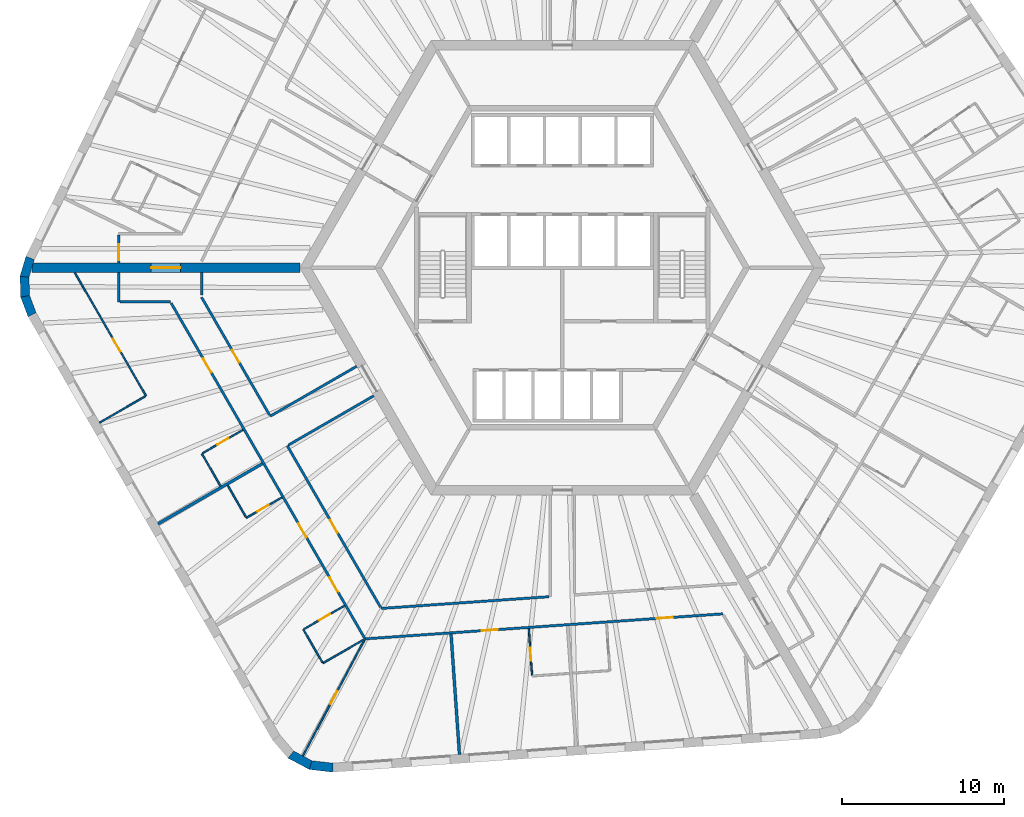
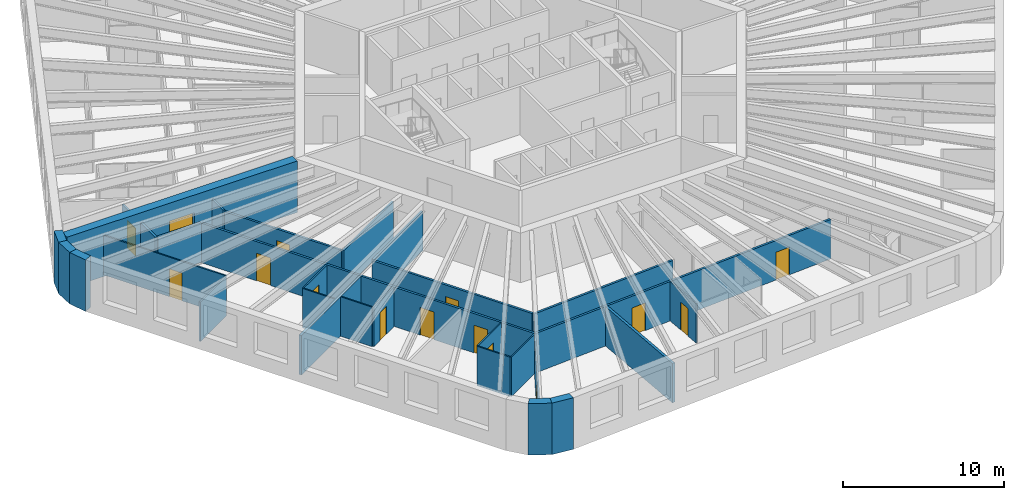
# One storey, part 3 of 12: 30 walls, 15 doors, 15 openings.
"""IFC4 building model written with IfcOpenShell, lengths in metres."""

from ifc_helpers import new_model, si_unit, direction, frame, frame_2d, origin, place, context, subcontext, project, spatial, polyline, rectangle, outline, extrude, material, layer, layer_set, type_object, element, fill, save


model = new_model("IFC4")

# Units and contexts
model_context = context("Model", 3, precision=1e-05, world=origin(), true_north=direction((0.0, 1.0)))
body_context = subcontext(model_context, "Body", "Model", "MODEL_VIEW")
ifc_project = project(units=[si_unit("LENGTHUNIT", "METRE"), si_unit("AREAUNIT", "SQUARE_METRE"), si_unit("VOLUMEUNIT", "CUBIC_METRE"), si_unit("PLANEANGLEUNIT", "RADIAN"), si_unit("MASSUNIT", "GRAM", prefix="KILO")], contexts=[model_context])

# Site, building, storey
site_placement = place(None, origin())
site = spatial("IfcSite", under=ifc_project, at=site_placement, CompositionType="ELEMENT")
building_placement = place(site_placement, origin())
building = spatial("IfcBuilding", under=site, at=building_placement, Name="Tarnside Tower", CompositionType="ELEMENT")
storey_placement = place(building_placement, frame((0.0, 0.0, 72.60009765625)))
storey = spatial("IfcBuildingStorey", under=building, at=storey_placement, Name="L15", CompositionType="ELEMENT", Elevation=72.60009765625)

# Wall
ifc_material_1 = material(Name="Gypsum board partition on steel studs", Category="steel")
ifc_layer_1 = layer(ifc_material_1, 0.10009765625)
ifc_layer_set_1 = layer_set([ifc_layer_1], Name="Bathroom wall 100")
wall_type_1 = type_object("IfcWallType", Name="Bathroom wall 100", PredefinedType="PARTITIONING", material=ifc_layer_set_1)
wall_1_placement = place(storey_placement, frame((-21.046875, -13.44580078125, 0.0), z_axis=(0.0, 0.0, 1.0), x_axis=(-0.500015210774, 0.866016621662, 0.0)))
element("IfcWall", 1, at=wall_1_placement, inside=storey, type_object=wall_type_1, Name="Bathroom wall 04105", PredefinedType="PARTITIONING", context=body_context, shape_type="SweptSolid", body=[
    extrude(rectangle(XDim=2.31005859375, YDim=0.10009765625, at=frame_2d((1.155029296875, 0.0))), origin(), (0.0, 0.0, 1.0), 2.98779296875),
])

# Wall, opening, door
wall_2_placement = place(storey_placement, frame((-22.158447265625, -11.42041015625, 0.0), z_axis=(0.0, 0.0, 1.0), x_axis=(0.866018712932, 0.500011588718, 0.0)))
wall_2 = element("IfcWall", 2, at=wall_2_placement, inside=storey, type_object=wall_type_1, Name="Bathroom wall 04106", PredefinedType="PARTITIONING", context=body_context, shape_type="SweptSolid", body=[
    extrude(rectangle(XDim=2.875, YDim=0.10009765625, at=frame_2d((1.4375, 0.0))), origin(), (0.0, 0.0, 1.0), 2.98779296875),
])
opening_1_placement = place(wall_2_placement, frame((1.050048828125, 0.0, 0.0)))
opening_1 = element("IfcOpeningElement", 3, at=opening_1_placement, cuts=wall_2, Name="Opening D-B1", PredefinedType="OPENING", context=body_context, shape_type="SweptSolid", body=[
    extrude(rectangle(XDim=0.800048828125, YDim=2.10009765625, at=frame_2d((0.39990234375, 1.050048828125))), frame((0.0, 0.06005859375, 0.0), z_axis=(0.0, -1.0, 0.0), x_axis=(1.0, 0.0, 0.0)), (0.0, 0.0, 1.0), 0.1201171875),
])
ifc_material_2 = material(Name="Timber door leaf", Category="wood")
door_type_1 = type_object("IfcDoorType", Name="Bathroom door 800", OperationType="NOTDEFINED", PredefinedType="DOOR", material=ifc_material_2)
door_1_placement = place(opening_1_placement, origin())
door_1 = element("IfcDoor", 4, at=door_1_placement, inside=storey, type_object=door_type_1, Name="Bathroom door 04016", OperationType="SINGLE_SWING_LEFT", OverallHeight=2.10009765625, OverallWidth=0.800048828125, PredefinedType="DOOR", context=body_context, shape_type="SweptSolid", body=[
    extrude(rectangle(XDim=0.800048828125, YDim=2.10009765625, at=frame_2d((0.39990234375, 1.050048828125))), frame((0.0, 0.02490234375, 0.0), z_axis=(0.0, -1.0, 0.0), x_axis=(1.0, 0.0, 0.0)), (0.0, 0.0, 1.0), 0.050048828125),
])
fill(opening_1, door_1)

wall_3_placement = place(storey_placement, frame((-17.268798828125, -14.1396484375, 0.0), z_axis=(0.0, 0.0, 1.0), x_axis=(-0.865973021571, -0.500090717682, 0.0)))
wall_3 = element("IfcWall", 5, at=wall_3_placement, inside=storey, type_object=wall_type_1, Name="Bathroom wall 04112", PredefinedType="PARTITIONING", context=body_context, shape_type="SweptSolid", body=[
    extrude(rectangle(XDim=2.52490234375, YDim=0.10009765625, at=frame_2d((1.262451171875, 0.0))), origin(), (0.0, 0.0, 1.0), 2.98779296875),
])
opening_2_placement = place(wall_3_placement, frame((0.955078125, 0.0, 0.0)))
opening_2 = element("IfcOpeningElement", 6, at=opening_2_placement, cuts=wall_3, Name="Opening D-B1", PredefinedType="OPENING", context=body_context, shape_type="SweptSolid", body=[
    extrude(rectangle(XDim=0.800048828125, YDim=2.10009765625, at=frame_2d((0.39990234375, 1.050048828125))), frame((0.0, 0.06005859375, 0.0), z_axis=(0.0, -1.0, 0.0), x_axis=(1.0, 0.0, 0.0)), (0.0, 0.0, 1.0), 0.1201171875),
])
door_2_placement = place(opening_2_placement, origin())
door_2 = element("IfcDoor", 7, at=door_2_placement, inside=storey, type_object=door_type_1, Name="Bathroom door 04019", OperationType="SINGLE_SWING_LEFT", OverallHeight=2.10009765625, OverallWidth=0.800048828125, PredefinedType="DOOR", context=body_context, shape_type="SweptSolid", body=[
    extrude(rectangle(XDim=0.800048828125, YDim=2.10009765625, at=frame_2d((0.39990234375, 1.050048828125))), frame((0.0, 0.02490234375, 0.0), z_axis=(0.0, -1.0, 0.0), x_axis=(1.0, 0.0, 0.0)), (0.0, 0.0, 1.0), 0.050048828125),
])
fill(opening_2, door_2)

# Walls
wall_4_placement = place(storey_placement, frame((-19.48046875, -15.35888671875, 0.0), z_axis=(0.0, 0.0, 1.0), x_axis=(-0.4999967785, 0.866027263711, 0.0)))
element("IfcWall", 8, at=wall_4_placement, inside=storey, type_object=wall_type_1, Name="Bathroom wall 04113", PredefinedType="PARTITIONING", context=body_context, shape_type="SweptSolid", body=[
    extrude(rectangle(XDim=2.259765625, YDim=0.10009765625, at=frame_2d((1.1298828125, 0.0))), origin(), (0.0, 0.0, 1.0), 2.98779296875),
])
wall_5_placement = place(storey_placement, frame((-12.21630859375, -22.890869140625, 0.0), z_axis=(0.0, 0.0, 1.0), x_axis=(-0.866046596414, -0.499963291492, 0.0)))
element("IfcWall", 9, at=wall_5_placement, inside=storey, type_object=wall_type_1, Name="Bathroom wall 04115", PredefinedType="PARTITIONING", context=body_context, shape_type="SweptSolid", body=[
    extrude(rectangle(XDim=2.925048828125, YDim=0.10009765625, at=frame_2d((1.46240234375, 0.0))), origin(), (0.0, 0.0, 1.0), 2.98779296875),
])
wall_6_placement = place(storey_placement, frame((-14.7744140625, -24.31005859375, 0.0), z_axis=(0.0, 0.0, 1.0), x_axis=(-0.500016218704, 0.866016039709, 0.0)))
element("IfcWall", 10, at=wall_6_placement, inside=storey, type_object=wall_type_1, Name="Bathroom wall 04116", PredefinedType="PARTITIONING", context=body_context, shape_type="SweptSolid", body=[
    extrude(rectangle(XDim=2.35009765625, YDim=0.10009765625, at=frame_2d((1.175048828125, 0.0))), origin(), (0.0, 0.0, 1.0), 2.98779296875),
])

# Wall, opening, door
wall_7_placement = place(storey_placement, frame((-15.906005859375, -22.249755859375, 0.0), z_axis=(0.0, 0.0, 1.0), x_axis=(0.866018712932, 0.500011588718, 0.0)))
wall_7 = element("IfcWall", 11, at=wall_7_placement, inside=storey, type_object=wall_type_1, Name="Bathroom wall 04117", PredefinedType="PARTITIONING", context=body_context, shape_type="SweptSolid", body=[
    extrude(rectangle(XDim=2.875, YDim=0.10009765625, at=frame_2d((1.4375, 0.0))), origin(), (0.0, 0.0, 1.0), 2.98779296875),
])
opening_3_placement = place(wall_7_placement, frame((1.050048828125, 0.0, 0.0)))
opening_3 = element("IfcOpeningElement", 12, at=opening_3_placement, cuts=wall_7, Name="Opening D-B1", PredefinedType="OPENING", context=body_context, shape_type="SweptSolid", body=[
    extrude(rectangle(XDim=0.800048828125, YDim=2.10009765625, at=frame_2d((0.39990234375, 1.050048828125))), frame((0.0, 0.06005859375, 0.0), z_axis=(0.0, -1.0, 0.0), x_axis=(1.0, 0.0, 0.0)), (0.0, 0.0, 1.0), 0.1201171875),
])
door_3_placement = place(opening_3_placement, origin())
door_3 = element("IfcDoor", 13, at=door_3_placement, inside=storey, type_object=door_type_1, Name="Bathroom door 04021", OperationType="SINGLE_SWING_LEFT", OverallHeight=2.10009765625, OverallWidth=0.800048828125, PredefinedType="DOOR", context=body_context, shape_type="SweptSolid", body=[
    extrude(rectangle(XDim=0.800048828125, YDim=2.10009765625, at=frame_2d((0.39990234375, 1.050048828125))), frame((0.0, 0.02490234375, 0.0), z_axis=(0.0, -1.0, 0.0), x_axis=(1.0, 0.0, 0.0)), (0.0, 0.0, 1.0), 0.050048828125),
])
fill(opening_3, door_3)

wall_8_placement = place(storey_placement, frame((-1.865478515625, -25.09130859375, 0.0), z_axis=(0.0, 0.0, 1.0), x_axis=(-0.069714207611, 0.997567004896, 0.0)))
wall_8 = element("IfcWall", 14, at=wall_8_placement, inside=storey, type_object=wall_type_1, Name="Bathroom wall 04121", PredefinedType="PARTITIONING", context=body_context, shape_type="SweptSolid", body=[
    extrude(rectangle(XDim=2.875244140625, YDim=0.10009765625, at=frame_2d((1.4375, 0.0))), origin(), (0.0, 0.0, 1.0), 2.98779296875),
])
opening_4_placement = place(wall_8_placement, frame((0.89990234375, 0.0, 0.0)))
opening_4 = element("IfcOpeningElement", 15, at=opening_4_placement, cuts=wall_8, Name="Opening D-B1", PredefinedType="OPENING", context=body_context, shape_type="SweptSolid", body=[
    extrude(rectangle(XDim=0.800048828125, YDim=2.10009765625, at=frame_2d((0.39990234375, 1.050048828125))), frame((0.0, 0.06005859375, 0.0), z_axis=(0.0, -1.0, 0.0), x_axis=(1.0, 0.0, 0.0)), (0.0, 0.0, 1.0), 0.1201171875),
])
door_4_placement = place(opening_4_placement, origin())
door_4 = element("IfcDoor", 16, at=door_4_placement, inside=storey, type_object=door_type_1, Name="Bathroom door 04024", OperationType="SINGLE_SWING_RIGHT", OverallHeight=2.10009765625, OverallWidth=0.800048828125, PredefinedType="DOOR", context=body_context, shape_type="SweptSolid", body=[
    extrude(rectangle(XDim=0.800048828125, YDim=2.10009765625, at=frame_2d((0.39990234375, 1.050048828125))), frame((0.0, 0.02490234375, 0.0), z_axis=(0.0, -1.0, 0.0), x_axis=(1.0, 0.0, 0.0)), (0.0, 0.0, 1.0), 0.050048828125),
])
fill(opening_4, door_4)

ifc_material_3 = material(Name="Concrete C80/95", Category="concrete")
ifc_layer_2 = layer(ifc_material_3, 0.60009765625)
ifc_layer_set_2 = layer_set([ifc_layer_2], Name="Core wall Z1 600 C80/95")
wall_type_2 = type_object("IfcWallType", Name="Core wall Z1 600 C80/95", PredefinedType="SHEAR", material=ifc_layer_set_2)
wall_9_placement = place(storey_placement, frame((-16.165771484375, 0.0, -0.150146484375), z_axis=(0.0, 0.0, 1.0), x_axis=(-1.0, 0.0, 0.0)))
wall_9 = element("IfcWall", 17, at=wall_9_placement, inside=storey, type_object=wall_type_2, Name="L15 spine wall 2", PredefinedType="SHEAR", context=body_context, shape_type="SweptSolid", body=[
    extrude(rectangle(XDim=16.509033203125, YDim=0.60009765625, at=frame_2d((8.25439453125, 0.0))), origin(), (0.0, 0.0, 1.0), 3.900146484375),
])
opening_5_placement = place(wall_9_placement, frame((7.3544921875, 0.0, 0.14990234375)))
opening_5 = element("IfcOpeningElement", 18, at=opening_5_placement, cuts=wall_9, Name="Opening CD-SPN", PredefinedType="OPENING", context=body_context, shape_type="SweptSolid", body=[
    extrude(rectangle(XDim=1.800048828125, YDim=2.39990234375, at=frame_2d((0.89990234375, 1.199951171875))), frame((0.0, 0.31005859375, 0.0), z_axis=(0.0, -1.0, 0.0), x_axis=(1.0, 0.0, 0.0)), (0.0, 0.0, 1.0), 0.6201171875),
])
ifc_material_4 = material(Name="Steel fire door", Category="steel")
door_type_2 = type_object("IfcDoorType", Name="Spine passage double door FD60 1800x2400", OperationType="NOTDEFINED", PredefinedType="DOOR", material=ifc_material_4)
door_5_placement = place(opening_5_placement, origin())
door_5 = element("IfcDoor", 19, at=door_5_placement, inside=storey, type_object=door_type_2, Name="L15 spine passage door 2", OperationType="DOUBLE_DOOR_SINGLE_SWING", OverallHeight=2.39990234375, OverallWidth=1.800048828125, PredefinedType="DOOR", context=body_context, shape_type="SweptSolid", body=[
    extrude(rectangle(XDim=1.800048828125, YDim=2.39990234375, at=frame_2d((0.89990234375, 1.199951171875))), frame((0.0, 0.02490234375, 0.0), z_axis=(0.0, -1.0, 0.0), x_axis=(1.0, 0.0, 0.0)), (0.0, 0.0, 1.0), 0.050048828125),
])
fill(opening_5, door_5)

ifc_layer_3 = layer(ifc_material_1, 0.14990234375)
ifc_layer_set_3 = layer_set([ifc_layer_3], Name="Corridor wall 150 EI 60")
wall_type_3 = type_object("IfcWallType", Name="Corridor wall 150 EI 60", PredefinedType="PARTITIONING", material=ifc_layer_set_3)
wall_10_placement = place(storey_placement, frame((-27.3203125, 2.02490234375, 0.0), z_axis=(0.0, 0.0, 1.0), x_axis=(0.0, -1.0, 0.0)))
wall_10 = element("IfcWall", 20, at=wall_10_placement, inside=storey, type_object=wall_type_3, Name="Corridor wall 04015", PredefinedType="PARTITIONING", context=body_context, shape_type="SweptSolid", body=[
    extrude(rectangle(XDim=1.724853515625, YDim=0.14990234375, at=frame_2d((0.8623046875, 0.0))), origin(), (0.0, 0.0, 1.0), 2.98779296875),
])
opening_6_placement = place(wall_10_placement, frame((0.574951171875, 0.0, 0.0)))
opening_6 = element("IfcOpeningElement", 21, at=opening_6_placement, cuts=wall_10, Name="Opening D-E1", PredefinedType="OPENING", context=body_context, shape_type="SweptSolid", body=[
    extrude(rectangle(XDim=1.0, YDim=2.10009765625, at=frame_2d((0.5, 1.050048828125))), frame((0.0, 0.0849609375, 0.0), z_axis=(0.0, -1.0, 0.0), x_axis=(1.0, 0.0, 0.0)), (0.0, 0.0, 1.0), 0.169921875),
])
door_type_3 = type_object("IfcDoorType", Name="Unit entrance door 1000 FD30S", OperationType="NOTDEFINED", PredefinedType="DOOR", material=ifc_material_2)
door_6_placement = place(opening_6_placement, origin())
door_6 = element("IfcDoor", 22, at=door_6_placement, inside=storey, type_object=door_type_3, Name="Unit door 04014", OperationType="SINGLE_SWING_LEFT", OverallHeight=2.10009765625, OverallWidth=1.0, PredefinedType="DOOR", context=body_context, shape_type="SweptSolid", body=[
    extrude(rectangle(XDim=1.0, YDim=2.10009765625, at=frame_2d((0.5, 1.050048828125))), frame((0.0, 0.02490234375, 0.0), z_axis=(0.0, -1.0, 0.0), x_axis=(1.0, 0.0, 0.0)), (0.0, 0.0, 1.0), 0.050048828125),
])
fill(opening_6, door_6)

# Walls
wall_11_placement = place(storey_placement, frame((-27.3203125, -0.300048828125, 0.0), z_axis=(0.0, 0.0, 1.0), x_axis=(0.0, -1.0, 0.0)))
element("IfcWall", 23, at=wall_11_placement, inside=storey, type_object=wall_type_3, Name="Corridor wall 04025", PredefinedType="PARTITIONING", context=body_context, shape_type="SweptSolid", body=[
    extrude(rectangle(XDim=1.800048828125, YDim=0.14990234375, at=frame_2d((0.89990234375, 0.0))), origin(), (0.0, 0.0, 1.0), 2.98779296875),
])
wall_12_placement = place(storey_placement, frame((-27.245361328125, -2.10009765625, 0.0), z_axis=(0.0, 0.0, 1.0), x_axis=(1.0, 0.0, 0.0)))
element("IfcWall", 24, at=wall_12_placement, inside=storey, type_object=wall_type_3, Name="Corridor wall 04026", PredefinedType="PARTITIONING", context=body_context, shape_type="SweptSolid", body=[
    extrude(rectangle(XDim=3.112060546875, YDim=0.14990234375, at=frame_2d((1.55615234375, 0.0))), origin(), (0.0, 0.0, 1.0), 2.98779296875),
])

# Wall, openings, doors
wall_13_placement = place(storey_placement, frame((-24.08984375, -2.175048828125, 0.0), z_axis=(0.0, 0.0, 1.0), x_axis=(0.499996832073, -0.86602723278, 0.0)))
wall_13 = element("IfcWall", 25, at=wall_13_placement, inside=storey, type_object=wall_type_3, Name="Corridor wall 04027", PredefinedType="PARTITIONING", context=body_context, shape_type="SweptSolid", body=[
    extrude(rectangle(XDim=23.877197265625, YDim=0.14990234375, at=frame_2d((11.9384765625, 0.0))), origin(), (0.0, 0.0, 1.0), 2.98779296875),
])
opening_7_placement = place(wall_13_placement, frame((3.94287109375, 0.0, 0.0)))
opening_7 = element("IfcOpeningElement", 26, at=opening_7_placement, cuts=wall_13, Name="Opening D-E1", PredefinedType="OPENING", context=body_context, shape_type="SweptSolid", body=[
    extrude(rectangle(XDim=1.0, YDim=2.10009765625, at=frame_2d((0.5, 1.050048828125))), frame((0.0, 0.0849609375, 0.0), z_axis=(0.0, -1.0, 0.0), x_axis=(1.0, 0.0, 0.0)), (0.0, 0.0, 1.0), 0.169921875),
])
opening_8_placement = place(wall_13_placement, frame((15.67236328125, 0.0, 0.0)))
opening_8 = element("IfcOpeningElement", 27, at=opening_8_placement, cuts=wall_13, Name="Opening D-E1", PredefinedType="OPENING", context=body_context, shape_type="SweptSolid", body=[
    extrude(rectangle(XDim=1.0, YDim=2.10009765625, at=frame_2d((0.5, 1.050048828125))), frame((0.0, 0.0849609375, 0.0), z_axis=(0.0, -1.0, 0.0), x_axis=(1.0, 0.0, 0.0)), (0.0, 0.0, 1.0), 0.169921875),
])
opening_9_placement = place(wall_13_placement, frame((19.52490234375, 0.0, 0.0)))
opening_9 = element("IfcOpeningElement", 28, at=opening_9_placement, cuts=wall_13, Name="Opening D-E1", PredefinedType="OPENING", context=body_context, shape_type="SweptSolid", body=[
    extrude(rectangle(XDim=1.0, YDim=2.10009765625, at=frame_2d((0.5, 1.050048828125))), frame((0.0, 0.0849609375, 0.0), z_axis=(0.0, -1.0, 0.0), x_axis=(1.0, 0.0, 0.0)), (0.0, 0.0, 1.0), 0.169921875),
])
door_7_placement = place(opening_7_placement, origin())
door_7 = element("IfcDoor", 29, at=door_7_placement, inside=storey, type_object=door_type_3, Name="Unit door 04015", OperationType="SINGLE_SWING_RIGHT", OverallHeight=2.10009765625, OverallWidth=1.0, PredefinedType="DOOR", context=body_context, shape_type="SweptSolid", body=[
    extrude(rectangle(XDim=1.0, YDim=2.10009765625, at=frame_2d((0.5, 1.050048828125))), frame((0.0, 0.02490234375, 0.0), z_axis=(0.0, -1.0, 0.0), x_axis=(1.0, 0.0, 0.0)), (0.0, 0.0, 1.0), 0.050048828125),
])
fill(opening_7, door_7)
door_8_placement = place(opening_8_placement, origin())
door_8 = element("IfcDoor", 30, at=door_8_placement, inside=storey, type_object=door_type_3, Name="Unit door 04018", OperationType="SINGLE_SWING_RIGHT", OverallHeight=2.10009765625, OverallWidth=1.0, PredefinedType="DOOR", context=body_context, shape_type="SweptSolid", body=[
    extrude(rectangle(XDim=1.0, YDim=2.10009765625, at=frame_2d((0.5, 1.050048828125))), frame((0.0, 0.02490234375, 0.0), z_axis=(0.0, -1.0, 0.0), x_axis=(1.0, 0.0, 0.0)), (0.0, 0.0, 1.0), 0.050048828125),
])
fill(opening_8, door_8)
door_9_placement = place(opening_9_placement, origin())
door_9 = element("IfcDoor", 31, at=door_9_placement, inside=storey, type_object=door_type_3, Name="Unit door 04020", OperationType="SINGLE_SWING_RIGHT", OverallHeight=2.10009765625, OverallWidth=1.0, PredefinedType="DOOR", context=body_context, shape_type="SweptSolid", body=[
    extrude(rectangle(XDim=1.0, YDim=2.10009765625, at=frame_2d((0.5, 1.050048828125))), frame((0.0, 0.02490234375, 0.0), z_axis=(0.0, -1.0, 0.0), x_axis=(1.0, 0.0, 0.0)), (0.0, 0.0, 1.0), 0.050048828125),
])
fill(opening_9, door_9)

wall_14_placement = place(storey_placement, frame((-12.1513671875, -22.853271484375, 0.0), z_axis=(0.0, 0.0, 1.0), x_axis=(0.99756425444, 0.069753553767, 0.0)))
wall_14 = element("IfcWall", 32, at=wall_14_placement, inside=storey, type_object=wall_type_3, Name="Corridor wall 04033", PredefinedType="PARTITIONING", context=body_context, shape_type="SweptSolid", body=[
    extrude(rectangle(XDim=22.085205078125, YDim=0.14990234375, at=frame_2d((11.04248046875, 0.0))), origin(), (0.0, 0.0, 1.0), 2.98779296875),
])
opening_10_placement = place(wall_14_placement, frame((7.204833984375, 0.0, 0.0)))
opening_10 = element("IfcOpeningElement", 33, at=opening_10_placement, cuts=wall_14, Name="Opening D-E1", PredefinedType="OPENING", context=body_context, shape_type="SweptSolid", body=[
    extrude(rectangle(XDim=1.0, YDim=2.10009765625, at=frame_2d((0.5, 1.050048828125))), frame((0.0, 0.0849609375, 0.0), z_axis=(0.0, -1.0, 0.0), x_axis=(1.0, 0.0, 0.0)), (0.0, 0.0, 1.0), 0.169921875),
])
opening_11_placement = place(wall_14_placement, frame((17.994873046875, 0.0, 0.0)))
opening_11 = element("IfcOpeningElement", 34, at=opening_11_placement, cuts=wall_14, Name="Opening D-E1", PredefinedType="OPENING", context=body_context, shape_type="SweptSolid", body=[
    extrude(rectangle(XDim=1.0, YDim=2.10009765625, at=frame_2d((0.5, 1.050048828125))), frame((0.0, 0.0849609375, 0.0), z_axis=(0.0, -1.0, 0.0), x_axis=(1.0, 0.0, 0.0)), (0.0, 0.0, 1.0), 0.169921875),
])
door_10_placement = place(opening_10_placement, origin())
door_10 = element("IfcDoor", 35, at=door_10_placement, inside=storey, type_object=door_type_3, Name="Unit door 04023", OperationType="SINGLE_SWING_LEFT", OverallHeight=2.10009765625, OverallWidth=1.0, PredefinedType="DOOR", context=body_context, shape_type="SweptSolid", body=[
    extrude(rectangle(XDim=1.0, YDim=2.10009765625, at=frame_2d((0.5, 1.050048828125))), frame((0.0, 0.02490234375, 0.0), z_axis=(0.0, -1.0, 0.0), x_axis=(1.0, 0.0, 0.0)), (0.0, 0.0, 1.0), 0.050048828125),
])
fill(opening_10, door_10)
door_11_placement = place(opening_11_placement, origin())
door_11 = element("IfcDoor", 36, at=door_11_placement, inside=storey, type_object=door_type_3, Name="Unit door 04025", OperationType="SINGLE_SWING_LEFT", OverallHeight=2.10009765625, OverallWidth=1.0, PredefinedType="DOOR", context=body_context, shape_type="SweptSolid", body=[
    extrude(rectangle(XDim=1.0, YDim=2.10009765625, at=frame_2d((0.5, 1.050048828125))), frame((0.0, 0.02490234375, 0.0), z_axis=(0.0, -1.0, 0.0), x_axis=(1.0, 0.0, 0.0)), (0.0, 0.0, 1.0), 0.050048828125),
])
fill(opening_11, door_11)

# Wall
wall_15_placement = place(storey_placement, frame((-12.663818359375, -6.065673828125, 0.0), z_axis=(0.0, 0.0, 1.0), x_axis=(-0.866023618125, -0.500003092839, 0.0)))
element("IfcWall", 37, at=wall_15_placement, inside=storey, type_object=wall_type_3, Name="Corridor wall 04041", PredefinedType="PARTITIONING", context=body_context, shape_type="SweptSolid", body=[
    extrude(rectangle(XDim=6.14990234375, YDim=0.14990234375, at=frame_2d((3.074951171875, 0.0))), origin(), (0.0, 0.0, 1.0), 2.98779296875),
])

# Wall, opening, door
wall_16_placement = place(storey_placement, frame((-18.02734375, -9.07568359375, 0.0), z_axis=(0.0, 0.0, 1.0), x_axis=(-0.500007318041, 0.86602117867, 0.0)))
wall_16 = element("IfcWall", 38, at=wall_16_placement, inside=storey, type_object=wall_type_3, Name="Corridor wall 04042", PredefinedType="PARTITIONING", context=body_context, shape_type="SweptSolid", body=[
    extrude(rectangle(XDim=8.383056640625, YDim=0.14990234375, at=frame_2d((4.19140625, 0.0))), origin(), (0.0, 0.0, 1.0), 2.98779296875),
])
opening_12_placement = place(wall_16_placement, frame((3.74169921875, 0.0, 0.0)))
opening_12 = element("IfcOpeningElement", 39, at=opening_12_placement, cuts=wall_16, Name="Opening D-S1", PredefinedType="OPENING", context=body_context, shape_type="SweptSolid", body=[
    extrude(rectangle(XDim=0.89990234375, YDim=2.10009765625, at=frame_2d((0.449951171875, 1.050048828125))), frame((0.0, 0.0849609375, 0.0), z_axis=(0.0, -1.0, 0.0), x_axis=(1.0, 0.0, 0.0)), (0.0, 0.0, 1.0), 0.169921875),
])
door_type_4 = type_object("IfcDoorType", Name="Service room door 900 FD30S", OperationType="NOTDEFINED", PredefinedType="DOOR", material=ifc_material_2)
door_12_placement = place(opening_12_placement, origin())
door_12 = element("IfcDoor", 40, at=door_12_placement, inside=storey, type_object=door_type_4, Name="Service door 04044", OperationType="SINGLE_SWING_RIGHT", OverallHeight=2.10009765625, OverallWidth=0.89990234375, PredefinedType="DOOR", context=body_context, shape_type="SweptSolid", body=[
    extrude(rectangle(XDim=0.89990234375, YDim=2.10009765625, at=frame_2d((0.449951171875, 1.050048828125))), frame((0.0, 0.02490234375, 0.0), z_axis=(0.0, -1.0, 0.0), x_axis=(1.0, 0.0, 0.0)), (0.0, 0.0, 1.0), 0.050048828125),
])
fill(opening_12, door_12)

# Walls
wall_17_placement = place(storey_placement, frame((-22.218994140625, -1.665771484375, 0.0), z_axis=(0.0, 0.0, 1.0), x_axis=(0.0, 1.0, 0.0)))
element("IfcWall", 41, at=wall_17_placement, inside=storey, type_object=wall_type_3, Name="Corridor wall 04043", PredefinedType="PARTITIONING", context=body_context, shape_type="SweptSolid", body=[
    extrude(rectangle(XDim=1.36572265625, YDim=0.14990234375, at=frame_2d((0.682861328125, 0.0))), origin(), (0.0, 0.0, 1.0), 2.98779296875),
])
wall_18_placement = place(storey_placement, frame((-0.824951171875, -20.2568359375, 0.0), z_axis=(0.0, 0.0, 1.0), x_axis=(-0.9975635143, -0.069764137903, 0.0)))
element("IfcWall", 42, at=wall_18_placement, inside=storey, type_object=wall_type_3, Name="Corridor wall 04045", PredefinedType="PARTITIONING", context=body_context, shape_type="SweptSolid", body=[
    extrude(rectangle(XDim=10.35498046875, YDim=0.14990234375, at=frame_2d((5.177490234375, 0.0))), origin(), (0.0, 0.0, 1.0), 2.98779296875),
])

# Wall, opening, door
wall_19_placement = place(storey_placement, frame((-11.196533203125, -20.906982421875, 0.0), z_axis=(0.0, 0.0, 1.0), x_axis=(-0.500004557924, 0.86602277225, 0.0)))
wall_19 = element("IfcWall", 43, at=wall_19_placement, inside=storey, type_object=wall_type_3, Name="Corridor wall 04046", PredefinedType="PARTITIONING", context=body_context, shape_type="SweptSolid", body=[
    extrude(rectangle(XDim=11.48681640625, YDim=0.14990234375, at=frame_2d((5.743408203125, 0.0))), origin(), (0.0, 0.0, 1.0), 2.98779296875),
])
opening_13_placement = place(wall_19_placement, frame((5.293212890625, 0.0, 0.0)))
opening_13 = element("IfcOpeningElement", 44, at=opening_13_placement, cuts=wall_19, Name="Opening D-S1", PredefinedType="OPENING", context=body_context, shape_type="SweptSolid", body=[
    extrude(rectangle(XDim=0.89990234375, YDim=2.10009765625, at=frame_2d((0.449951171875, 1.050048828125))), frame((0.0, 0.0849609375, 0.0), z_axis=(0.0, -1.0, 0.0), x_axis=(1.0, 0.0, 0.0)), (0.0, 0.0, 1.0), 0.169921875),
])
door_13_placement = place(opening_13_placement, origin())
door_13 = element("IfcDoor", 45, at=door_13_placement, inside=storey, type_object=door_type_4, Name="Service door 04045", OperationType="SINGLE_SWING_RIGHT", OverallHeight=2.10009765625, OverallWidth=0.89990234375, PredefinedType="DOOR", context=body_context, shape_type="SweptSolid", body=[
    extrude(rectangle(XDim=0.89990234375, YDim=2.10009765625, at=frame_2d((0.449951171875, 1.050048828125))), frame((0.0, 0.02490234375, 0.0), z_axis=(0.0, -1.0, 0.0), x_axis=(1.0, 0.0, 0.0)), (0.0, 0.0, 1.0), 0.050048828125),
])
fill(opening_13, door_13)

# Walls
wall_20_placement = place(storey_placement, frame((-16.875, -10.921875, 0.0), z_axis=(0.0, 0.0, 1.0), x_axis=(0.866023634079, 0.500003065207, 0.0)))
element("IfcWall", 46, at=wall_20_placement, inside=storey, type_object=wall_type_3, Name="Corridor wall 04047", PredefinedType="PARTITIONING", context=body_context, shape_type="SweptSolid", body=[
    extrude(rectangle(XDim=6.0751953125, YDim=0.14990234375, at=frame_2d((3.03759765625, 0.0))), origin(), (0.0, 0.0, 1.0), 2.98779296875),
])
ifc_layer_4 = layer(ifc_material_1, 0.179931640625)
ifc_layer_set_4 = layer_set([ifc_layer_4], Name="Demising wall 180 EI 60")
wall_type_4 = type_object("IfcWallType", Name="Demising wall 180 EI 60", PredefinedType="PARTITIONING", material=ifc_layer_set_4)
wall_21_placement = place(storey_placement, frame((-24.89892578125, -15.773681640625, 0.0), z_axis=(0.0, 0.0, 1.0), x_axis=(0.866028983062, 0.499993800457, 0.0)))
element("IfcWall", 47, at=wall_21_placement, inside=storey, type_object=wall_type_4, Name="Demising wall 04109", PredefinedType="PARTITIONING", context=body_context, shape_type="SweptSolid", body=[
    extrude(rectangle(XDim=7.4248046875, YDim=0.179931640625, at=frame_2d((3.71240234375, 0.0))), origin(), (0.0, 0.0, 1.0), 2.98779296875),
])
wall_22_placement = place(storey_placement, frame((-6.336181640625, -29.965087890625, 0.0), z_axis=(0.0, 0.0, 1.0), x_axis=(-0.06977252161, 0.997562927954, 0.0)))
element("IfcWall", 48, at=wall_22_placement, inside=storey, type_object=wall_type_4, Name="Demising wall 04119", PredefinedType="PARTITIONING", context=body_context, shape_type="SweptSolid", body=[
    extrude(rectangle(XDim=7.425048828125, YDim=0.179931640625, at=frame_2d((3.71240234375, 0.0))), origin(), (0.0, 0.0, 1.0), 2.98779296875),
])

# Wall, opening, door
ifc_layer_5 = layer(ifc_material_1, 0.10009765625)
ifc_layer_set_5 = layer_set([ifc_layer_5], Name="Partition 100")
wall_type_5 = type_object("IfcWallType", Name="Partition 100", PredefinedType="PARTITIONING", material=ifc_layer_set_5)
wall_23_placement = place(storey_placement, frame((-30.022216796875, -0.300048828125, 0.0), z_axis=(0.0, 0.0, 1.0), x_axis=(0.499995798296, -0.866027829626, 0.0)))
wall_23 = element("IfcWall", 49, at=wall_23_placement, inside=storey, type_object=wall_type_5, Name="Partition wall 04107", PredefinedType="PARTITIONING", context=body_context, shape_type="SweptSolid", body=[
    extrude(rectangle(XDim=8.76220703125, YDim=0.10009765625, at=frame_2d((4.381103515625, 0.0))), origin(), (0.0, 0.0, 1.0), 2.98779296875),
])
opening_14_placement = place(wall_23_placement, frame((4.71240234375, 0.0, 0.0)))
opening_14 = element("IfcOpeningElement", 50, at=opening_14_placement, cuts=wall_23, Name="Opening D-I1", PredefinedType="OPENING", context=body_context, shape_type="SweptSolid", body=[
    extrude(rectangle(XDim=0.89990234375, YDim=2.10009765625, at=frame_2d((0.449951171875, 1.050048828125))), frame((0.0, 0.06005859375, 0.0), z_axis=(0.0, -1.0, 0.0), x_axis=(1.0, 0.0, 0.0)), (0.0, 0.0, 1.0), 0.1201171875),
])
door_type_5 = type_object("IfcDoorType", Name="Internal door 900", OperationType="NOTDEFINED", PredefinedType="DOOR", material=ifc_material_2)
door_14_placement = place(opening_14_placement, origin())
door_14 = element("IfcDoor", 51, at=door_14_placement, inside=storey, type_object=door_type_5, Name="Internal door 04017", OperationType="SINGLE_SWING_LEFT", OverallHeight=2.10009765625, OverallWidth=0.89990234375, PredefinedType="DOOR", context=body_context, shape_type="SweptSolid", body=[
    extrude(rectangle(XDim=0.89990234375, YDim=2.10009765625, at=frame_2d((0.449951171875, 1.050048828125))), frame((0.0, 0.02490234375, 0.0), z_axis=(0.0, -1.0, 0.0), x_axis=(1.0, 0.0, 0.0)), (0.0, 0.0, 1.0), 0.050048828125),
])
fill(opening_14, door_14)

# Wall
wall_24_placement = place(storey_placement, frame((-25.684326171875, -7.913330078125, 0.0), z_axis=(0.0, 0.0, 1.0), x_axis=(-0.866034226713, -0.499984717929, 0.0)))
element("IfcWall", 52, at=wall_24_placement, inside=storey, type_object=wall_type_5, Name="Partition wall 04108", PredefinedType="PARTITIONING", context=body_context, shape_type="SweptSolid", body=[
    extrude(rectangle(XDim=3.25, YDim=0.10009765625, at=frame_2d((1.625, 0.0))), origin(), (0.0, 0.0, 1.0), 2.98779296875),
])

# Wall, opening, door
wall_25_placement = place(storey_placement, frame((-15.98291015625, -30.059326171875, 0.0), z_axis=(0.0, 0.0, 1.0), x_axis=(0.469476547643, 0.882944942346, 0.0)))
wall_25 = element("IfcWall", 53, at=wall_25_placement, inside=storey, type_object=wall_type_5, Name="Partition wall 04118", PredefinedType="PARTITIONING", context=body_context, shape_type="SweptSolid", body=[
    extrude(rectangle(XDim=8.072998046875, YDim=0.10009765625, at=frame_2d((4.03662109375, 0.0))), origin(), (0.0, 0.0, 1.0), 2.98779296875),
])
opening_15_placement = place(wall_25_placement, frame((3.630615234375, 0.0, 0.0)))
opening_15 = element("IfcOpeningElement", 54, at=opening_15_placement, cuts=wall_25, Name="Opening D-I1", PredefinedType="OPENING", context=body_context, shape_type="SweptSolid", body=[
    extrude(rectangle(XDim=0.89990234375, YDim=2.10009765625, at=frame_2d((0.449951171875, 1.050048828125))), frame((0.0, 0.06005859375, 0.0), z_axis=(0.0, -1.0, 0.0), x_axis=(1.0, 0.0, 0.0)), (0.0, 0.0, 1.0), 0.1201171875),
])
door_15_placement = place(opening_15_placement, origin())
door_15 = element("IfcDoor", 55, at=door_15_placement, inside=storey, type_object=door_type_5, Name="Internal door 04022", OperationType="SINGLE_SWING_LEFT", OverallHeight=2.10009765625, OverallWidth=0.89990234375, PredefinedType="DOOR", context=body_context, shape_type="SweptSolid", body=[
    extrude(rectangle(XDim=0.89990234375, YDim=2.10009765625, at=frame_2d((0.449951171875, 1.050048828125))), frame((0.0, 0.02490234375, 0.0), z_axis=(0.0, -1.0, 0.0), x_axis=(1.0, 0.0, 0.0)), (0.0, 0.0, 1.0), 0.050048828125),
])
fill(opening_15, door_15)

# Walls
ifc_material_5 = material(Name="Facing brick", Category="masonry")
ifc_layer_6 = layer(ifc_material_5, 0.10205078125)
ifc_material_6 = material(Name="Concrete C60/75 precast", Category="concrete")
ifc_layer_7 = layer(ifc_material_6, 0.347900390625)
ifc_material_7 = material(Name="Mineral wool insulation")
ifc_layer_8 = layer(ifc_material_7, 0.10009765625)
ifc_layer_set_6 = layer_set([ifc_layer_6, ifc_layer_7, ifc_layer_8], Name="Tube wall 550 brick faced")
wall_type_6 = type_object("IfcWallType", Name="Tube wall 550 brick faced", PredefinedType="SOLIDWALL", material=ifc_layer_set_6)
wall_26_placement = place(storey_placement, frame((-32.77685546875, 0.605224609375, -0.150146484375), z_axis=(0.0, 0.0, 1.0), x_axis=(-0.286921497463, -0.957954098219, 0.0)))
element("IfcWall", 56, at=wall_26_placement, inside=storey, type_object=wall_type_6, Name="Tube wall L15 F2 chord 05", PredefinedType="SOLIDWALL", context=body_context, shape_type="SweptSolid", body=[
    extrude(outline(polyline([(-0.0224609375, -0.27490234375), (1.25341796875, -0.27490234375), (1.1630859375, 0.27490234375), (0.0224609375, 0.27490234375), (-0.0224609375, -0.27490234375)])), origin(), (0.0, 0.0, 1.0), 3.900146484375),
])
wall_27_placement = place(storey_placement, frame((-33.12353515625, -0.55224609375, -0.150146484375), z_axis=(0.0, 0.0, 1.0), x_axis=(0.03495638276, -0.999388838893, 0.0)))
element("IfcWall", 57, at=wall_27_placement, inside=storey, type_object=wall_type_6, Name="Tube wall L15 F2 chord 06", PredefinedType="SOLIDWALL", context=body_context, shape_type="SweptSolid", body=[
    extrude(outline(polyline([(-0.045166015625, -0.27490234375), (1.25341796875, -0.27490234375), (1.1630859375, 0.27490234375), (0.045166015625, 0.27490234375), (-0.045166015625, -0.27490234375)])), origin(), (0.0, 0.0, 1.0), 3.900146484375),
])
wall_28_placement = place(storey_placement, frame((-33.081298828125, -1.759765625, -0.150146484375), z_axis=(0.0, 0.0, 1.0), x_axis=(0.353027214741, -0.935613053378, 0.0)))
element("IfcWall", 58, at=wall_28_placement, inside=storey, type_object=wall_type_6, Name="Tube wall L15 F2 chord 07", PredefinedType="SOLIDWALL", context=body_context, shape_type="SweptSolid", body=[
    extrude(outline(polyline([(-0.045166015625, -0.27490234375), (1.230712890625, -0.27490234375), (1.185791015625, 0.27490234375), (0.045166015625, 0.27490234375), (-0.045166015625, -0.27490234375)])), origin(), (0.0, 0.0, 1.0), 3.900146484375),
])
wall_29_placement = place(storey_placement, frame((-16.720703125, -29.978515625, -0.150146484375), z_axis=(0.0, 0.0, 1.0), x_axis=(0.882994189209, -0.469383917304, 0.0)))
element("IfcWall", 59, at=wall_29_placement, inside=storey, type_object=wall_type_6, Name="Tube wall L15 F3 chord 10", PredefinedType="SOLIDWALL", context=body_context, shape_type="SweptSolid", body=[
    extrude(outline(polyline([(-0.0517578125, -0.27490234375), (1.4306640625, -0.27490234375), (1.3271484375, 0.27490234375), (0.0517578125, 0.27490234375), (-0.0517578125, -0.27490234375)])), origin(), (0.0, 0.0, 1.0), 3.900146484375),
])
wall_30_placement = place(storey_placement, frame((-15.503173828125, -30.625732421875, -0.150146484375), z_axis=(0.0, 0.0, 1.0), x_axis=(0.993232537394, -0.11614269956, 0.0)))
element("IfcWall", 60, at=wall_30_placement, inside=storey, type_object=wall_type_6, Name="Tube wall L15 F3 chord 11", PredefinedType="SOLIDWALL", context=body_context, shape_type="SweptSolid", body=[
    extrude(outline(polyline([(-0.0517578125, -0.27490234375), (1.404541015625, -0.27490234375), (1.353271484375, 0.27490234375), (0.0517578125, 0.27490234375), (-0.0517578125, -0.27490234375)])), origin(), (0.0, 0.0, 1.0), 3.900146484375),
])

save(model, "model.ifc")
